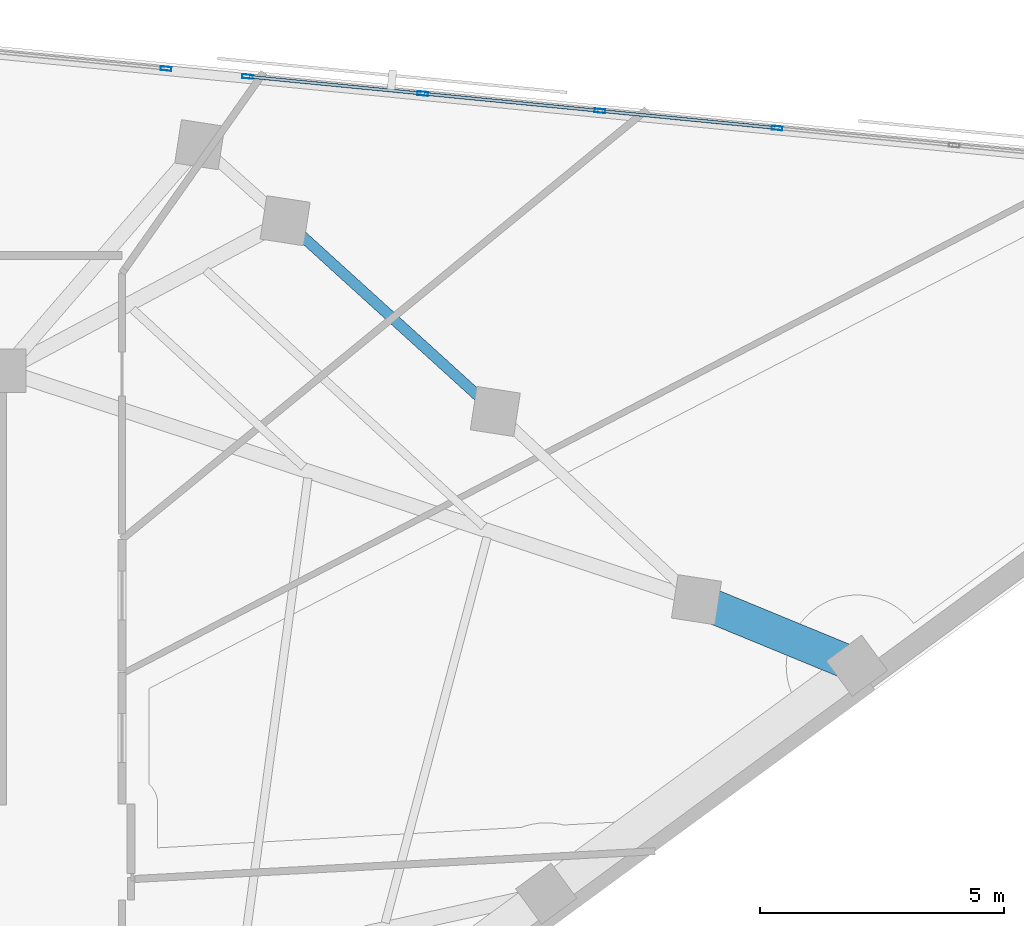
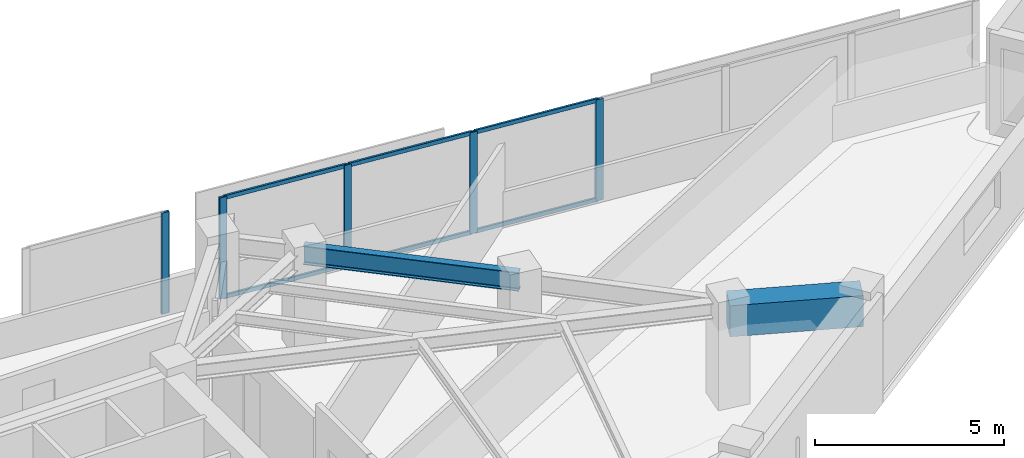
# One storey, part 5 of 13: 11 members, 2 beams, 2 elements without a shape of their own.
"""IFC4 building model written with IfcOpenShell, lengths in metres."""

import ifcopenshell
import ifcopenshell.guid

model = None  # the IFC model being written
_history = None  # IfcOwnerHistory: only IFC2X3 demands one
_inside = {}  # id of a spatial element -> (the spatial element, [elements in it])
_under = {}  # id of a project, library or spatial element -> (it, [spatial elements below it])
_declared = {}  # id of a project -> (the project, [libraries it declares])
_typed = {}  # id of a type object -> (the type object, [elements of that type])
_made_of = {}  # id of a material, layer set ... -> (it, [elements and type objects made of it])


def new_model(schema):
    """Start an empty IFC model of exactly this schema.

    Asked for "IFC4X3", IfcOpenShell would pick the latest addendum, in which some entities
    have other attributes; the version numbers below select the first issue.
    IFC2X3 requires an IfcOwnerHistory on every rooted entity: one is made here for all.
    """
    global model, _history
    if schema == "IFC4X3":
        model = ifcopenshell.file(schema_version=(4, 3, 0, 0))
    else:
        model = ifcopenshell.file(schema=schema)
    _inside.clear()
    _under.clear()
    _declared.clear()
    _typed.clear()
    _made_of.clear()
    _history = None
    if model.schema == "IFC2X3":
        org = make("IfcOrganization", Name="unknown")
        user = make(
            "IfcPersonAndOrganization",
            ThePerson=make("IfcPerson", FamilyName="unknown"),
            TheOrganization=org,
        )
        app = make(
            "IfcApplication",
            ApplicationDeveloper=org,
            Version="unknown",
            ApplicationFullName="unknown",
            ApplicationIdentifier="unknown",
        )
        _history = make(
            "IfcOwnerHistory",
            OwningUser=user,
            OwningApplication=app,
            ChangeAction="ADDED",
            CreationDate=0,
        )
    return model


def make(cls, **values):
    """One entity of the class cls with the attributes given. An attribute that is None is left unset."""
    return model.create_entity(
        cls, **{name: value for name, value in values.items() if value is not None}
    )


def rooted(cls, **values):
    """An entity with a GlobalId (a new one), such as an element, a storey or a relation."""
    return make(cls, GlobalId=ifcopenshell.guid.new(), OwnerHistory=_history, **values)


def si_unit(unit_type, name, prefix=None):
    """IfcSIUnit, for example si_unit("LENGTHUNIT", "METRE", prefix="MILLI")."""
    return make("IfcSIUnit", UnitType=unit_type, Prefix=prefix, Name=name)


def assignment(units):
    """IfcUnitAssignment: the units of a project."""
    return None if units is None else make("IfcUnitAssignment", Units=units)


def point(xyz):
    """IfcCartesianPoint."""
    return None if xyz is None else make("IfcCartesianPoint", Coordinates=xyz)


def direction(xyz):
    """IfcDirection."""
    return None if xyz is None else make("IfcDirection", DirectionRatios=xyz)


def frame(location, z_axis=None, x_axis=None):
    """IfcAxis2Placement3D, a coordinate frame: its origin and axes. An axis left out is left unset."""
    return make(
        "IfcAxis2Placement3D",
        Location=point(location),
        Axis=direction(z_axis),
        RefDirection=direction(x_axis),
    )


def frame_2d(location, x_axis=None):
    """IfcAxis2Placement2D, a coordinate frame in the plane: its origin and x axis."""
    return make(
        "IfcAxis2Placement2D", Location=point(location), RefDirection=direction(x_axis)
    )


def origin():
    """The frame at (0, 0, 0) with its axes left unset."""
    return frame((0.0, 0.0, 0.0))


def origin_2d():
    """The frame at (0, 0) in the plane with its x axis left unset."""
    return frame_2d((0.0, 0.0))


def place(relative_to, where):
    """IfcLocalPlacement: puts the frame where relative to a parent placement (None: the world)."""
    return make(
        "IfcLocalPlacement", PlacementRelTo=relative_to, RelativePlacement=where
    )


def context(
    kind, dimensions, precision=None, world=None, true_north=None, identifier=None
):
    """IfcGeometricRepresentationContext, for example the 3D "Model" context."""
    return make(
        "IfcGeometricRepresentationContext",
        ContextIdentifier=identifier,
        ContextType=kind,
        CoordinateSpaceDimension=dimensions,
        Precision=precision,
        WorldCoordinateSystem=world,
        TrueNorth=true_north,
    )


def subcontext(parent, identifier, kind, view, scale=None):
    """IfcGeometricRepresentationSubContext, for example "Body" below "Model"."""
    return make(
        "IfcGeometricRepresentationSubContext",
        ContextIdentifier=identifier,
        ContextType=kind,
        ParentContext=parent,
        TargetScale=scale,
        TargetView=view,
    )


def project(units=None, contexts=None):
    """IfcProject with its units and contexts."""
    return rooted(
        "IfcProject",
        Name="project",
        RepresentationContexts=contexts,
        UnitsInContext=assignment(units),
    )


def spatial(cls, under=None, at=None, **own):
    """A site, building, storey or space (cls), placed at a placement, below another one or the project."""
    s = rooted(cls, ObjectPlacement=at, **own)
    if under is not None:
        _under.setdefault(under.id(), (under, []))[1].append(s)
    return s


def profile(cls, at=None, kind="AREA", **sizes):
    """A parametric profile (cls). Its sizes go by their IFC names, for example OverallWidth=200.0."""
    return make(cls, ProfileType=kind, Position=at, **sizes)


def rectangle(**sizes):
    """IfcRectangleProfileDef."""
    return profile("IfcRectangleProfileDef", **sizes)


def hollow_rectangle(**sizes):
    """IfcRectangleHollowProfileDef."""
    return profile("IfcRectangleHollowProfileDef", **sizes)


def i_section(**sizes):
    """IfcIShapeProfileDef."""
    return profile("IfcIShapeProfileDef", **sizes)


def extrude(swept, where, along, depth):
    """IfcExtrudedAreaSolid: the profile swept, set in the frame where, extruded along a direction by depth."""
    return make(
        "IfcExtrudedAreaSolid",
        SweptArea=swept,
        Position=where,
        ExtrudedDirection=direction(along),
        Depth=depth,
    )


def shape(context_of_items, identifier, shape_type, items):
    """IfcShapeRepresentation: the items that make up one representation, for example the "Body"."""
    return make(
        "IfcShapeRepresentation",
        ContextOfItems=context_of_items,
        RepresentationIdentifier=identifier,
        RepresentationType=shape_type,
        Items=items,
    )


def material(Name=None, Category=None):
    """IfcMaterial."""
    return make("IfcMaterial", Name=Name, Category=Category)


def material_profile(
    of_material, cross_section, Name=None, Category=None, Priority=None
):
    """IfcMaterialProfile: a cross section and its material."""
    return make(
        "IfcMaterialProfile",
        Name=Name,
        Material=of_material,
        Profile=cross_section,
        Priority=Priority,
        Category=Category,
    )


def profile_set(profiles, Name=None, composite=None):
    """IfcMaterialProfileSet."""
    return make(
        "IfcMaterialProfileSet",
        Name=Name,
        MaterialProfiles=profiles,
        CompositeProfile=composite,
    )


def made_of(thing, what):
    """Note that an element or type object is made of a material, layer set ...; save() writes the relation."""
    if what is not None:
        _made_of.setdefault(what.id(), (what, []))[1].append(thing)
    return thing


def type_object(cls, material=None, **own):
    """A type object (cls), such as IfcWallType, which elements share."""
    return made_of(rooted(cls, **own), material)


def element(
    cls,
    number,
    at=None,
    inside=None,
    cuts=None,
    type_object=None,
    material=None,
    context=None,
    identifier="Body",
    shape_type=None,
    held_by="IfcProductDefinitionShape",
    body=None,
    shapes=None,
    **own,
):
    """One element of the class cls, such as IfcWall. Its Tag is "e" and its number.

    at: its placement. inside: the storey or other place that contains it. cuts: it is an
    opening in that element (IfcRelVoidsElement). A single representation is given by context,
    identifier, shape_type and body (its items); several are given by shapes. held_by: the class
    of the entity that holds the representations. save() writes the other relations.
    """
    e = rooted(cls, Tag="e%d" % number, ObjectPlacement=at, **own)
    if body is not None:
        shapes = [shape(context, identifier, shape_type, body)]
    if shapes is not None:
        e.Representation = make(held_by, Representations=shapes)
    if inside is not None:
        _inside.setdefault(inside.id(), (inside, []))[1].append(e)
    if cuts is not None:
        rooted(
            "IfcRelVoidsElement", RelatingBuildingElement=cuts, RelatedOpeningElement=e
        )
    if type_object is not None:
        _typed.setdefault(type_object.id(), (type_object, []))[1].append(e)
    return made_of(e, material)


def aggregate(whole, parts):
    """IfcRelAggregates: a whole, such as a stair, and the parts it consists of."""
    return rooted("IfcRelAggregates", RelatingObject=whole, RelatedObjects=parts)


def save(model, path):
    """Write the relations noted so far, then the file.

    IfcRelAggregates (storeys below a building ...), IfcRelContainedInSpatialStructure (elements
    in a storey), IfcRelDefinesByType, IfcRelAssociatesMaterial and IfcRelDeclares: one each for
    every whole, place, type object, material and project.
    """
    for whole, parts in _under.values():
        aggregate(whole, parts)
    for where, things in _inside.values():
        rooted(
            "IfcRelContainedInSpatialStructure",
            RelatedElements=things,
            RelatingStructure=where,
        )
    for kind, things in _typed.values():
        rooted("IfcRelDefinesByType", RelatedObjects=things, RelatingType=kind)
    for what, things in _made_of.values():
        rooted("IfcRelAssociatesMaterial", RelatedObjects=things, RelatingMaterial=what)
    for by, libraries in _declared.values():
        rooted("IfcRelDeclares", RelatingContext=by, RelatedDefinitions=libraries)
    model.write(path)


model = new_model("IFC4")

# Units and contexts
model_context = context("Model", 3, precision=1e-05, world=origin(), true_north=direction((0.0, 1.0)))
body_context = subcontext(model_context, "Body", "Model", "MODEL_VIEW")
ifc_project = project(units=[si_unit("LENGTHUNIT", "METRE"), si_unit("AREAUNIT", "SQUARE_METRE"), si_unit("VOLUMEUNIT", "CUBIC_METRE"), si_unit("PLANEANGLEUNIT", "RADIAN"), si_unit("MASSUNIT", "GRAM", prefix="KILO")], contexts=[model_context])

# Site, building, storey
site_placement = place(None, origin())
site = spatial("IfcSite", under=ifc_project, at=site_placement, CompositionType="ELEMENT")
building_placement = place(site_placement, origin())
building = spatial("IfcBuilding", under=site, at=building_placement, Name="Narakoshi Arena Tower", CompositionType="ELEMENT")
storey_placement = place(building_placement, frame((0.0, 0.0, 246.659912109375)))
storey = spatial("IfcBuildingStorey", under=building, at=storey_placement, Name="L67", CompositionType="ELEMENT", Elevation=246.659912109375)

# Beams
ifc_material_1 = material(Name="Concrete C60/75", Category="concrete")
ifc_material_profile_1 = material_profile(ifc_material_1, rectangle(XDim=0.699951171875, YDim=1.0, at=origin_2d()), Name="RCB700x1000")
ifc_profile_set_1 = profile_set([ifc_material_profile_1], Name="Concrete C60/75")
beam_type_1 = type_object("IfcBeamType", Name="BM-CPL-1000", PredefinedType="BEAM", material=ifc_profile_set_1)
beam_1_placement = place(storey_placement, frame((103.032470703125, 50.45361328125, 2.760009765625), z_axis=(-0.924787502584, 0.380484001063, 0.0), x_axis=(-0.380484001063, -0.924787502584, 0.0)))
element("IfcBeam", 1, at=beam_1_placement, inside=storey, type_object=beam_type_1, Name="L67 Perimeter Edge Girder 03", PredefinedType="BEAM", context=body_context, shape_type="SweptSolid", body=[
    extrude(rectangle(XDim=0.699951171875, YDim=1.0, at=origin_2d()), origin(), (0.0, 0.0, 1.0), 3.557373046875),
])
ifc_material_2 = material(Name="Structural steel S355J2", Category="steel")
ifc_material_profile_2 = material_profile(ifc_material_2, i_section(OverallWidth=0.219970703125, OverallDepth=0.60009765625, WebThickness=0.011962890625, FlangeThickness=0.01904296875, FilletRadius=0.02392578125, at=origin_2d()), Name="IPE600")
ifc_profile_set_2 = profile_set([ifc_material_profile_2], Name="Structural steel S355J2")
beam_type_2 = type_object("IfcBeamType", Name="BM-EDGE-600", PredefinedType="BEAM", material=ifc_profile_set_2)
beam_2_placement = place(storey_placement, frame((95.619384765625, 55.665283203125, 2.960205078125), z_axis=(-0.740395559013, 0.672171418757, 0.0), x_axis=(-0.672171418757, -0.740395559013, 0.0)))
element("IfcBeam", 2, at=beam_2_placement, inside=storey, type_object=beam_type_2, Name="L67 Perimeter Edge Girder 05", PredefinedType="BEAM", context=body_context, shape_type="SweptSolid", body=[
    extrude(i_section(OverallWidth=0.219970703125, OverallDepth=0.60009765625, WebThickness=0.011962890625, FlangeThickness=0.01904296875, FilletRadius=0.02392578125, at=origin_2d()), origin(), (0.0, 0.0, 1.0), 5.818603515625),
])

# Curtain wall, members
ifc_material_3 = material(Name="Anodised bronze aluminium 6063-T6", Category="aluminium")
curtain_wall_type = type_object("IfcCurtainWallType", Name="CW-HYP-HIGH", PredefinedType="NOTDEFINED", material=ifc_material_3)
curtain_wall_1_placement = place(storey_placement, origin())
curtain_wall_1 = element("IfcCurtainWall", 3, at=curtain_wall_1_placement, inside=storey, type_object=curtain_wall_type, Name="L67 Folded Hypotenuse Curtain Wall 1-1", PredefinedType="NOTDEFINED")
ifc_material_profile_3 = material_profile(ifc_material_3, hollow_rectangle(XDim=0.080078125, YDim=0.219970703125, WallThickness=0.0048828125, OuterFilletRadius=0.006103515625, at=origin_2d()), Name="MUL220x80x5")
ifc_profile_set_3 = profile_set([ifc_material_profile_3], Name="Anodised bronze aluminium 6063-T6")
member_type_1 = type_object("IfcMemberType", Name="MEM-MUL-220", PredefinedType="MULLION", material=ifc_profile_set_3)
member_1_placement = place(storey_placement, frame((101.3955078125, 61.47509765625, 0.0), z_axis=(0.0, 0.0, 1.0), x_axis=(-0.096851320996, -0.995298860454, 0.0)))
member_1 = element("IfcMember", 4, at=member_1_placement, type_object=member_type_1, Name="CW-03 mullion 4", PredefinedType="MULLION", context=body_context, shape_type="SweptSolid", body=[
    extrude(hollow_rectangle(XDim=0.080078125, YDim=0.219970703125, WallThickness=0.0048828125, OuterFilletRadius=0.006103515625, at=origin_2d()), origin(), (0.0, 0.0, 1.0), 3.260009765625),
])
member_2_placement = place(storey_placement, frame((97.763916015625, 61.828369140625, 0.0), z_axis=(0.0, 0.0, 1.0), x_axis=(-0.096851320996, -0.995298860454, 0.0)))
member_2 = element("IfcMember", 5, at=member_2_placement, type_object=member_type_1, Name="CW-03 mullion 5", PredefinedType="MULLION", context=body_context, shape_type="SweptSolid", body=[
    extrude(hollow_rectangle(XDim=0.080078125, YDim=0.219970703125, WallThickness=0.0048828125, OuterFilletRadius=0.006103515625, at=origin_2d()), origin(), (0.0, 0.0, 1.0), 3.260009765625),
])
member_3_placement = place(storey_placement, frame((94.13232421875, 62.181884765625, 0.0), z_axis=(0.0, 0.0, 1.0), x_axis=(-0.096851320996, -0.995298860454, 0.0)))
member_3 = element("IfcMember", 6, at=member_3_placement, type_object=member_type_1, Name="CW-03 mullion 6", PredefinedType="MULLION", context=body_context, shape_type="SweptSolid", body=[
    extrude(hollow_rectangle(XDim=0.080078125, YDim=0.219970703125, WallThickness=0.0048828125, OuterFilletRadius=0.006103515625, at=origin_2d()), origin(), (0.0, 0.0, 1.0), 3.260009765625),
])
member_4_placement = place(storey_placement, frame((90.54052734375, 62.53125, 0.0), z_axis=(0.0, 0.0, 1.0), x_axis=(-0.096851320996, -0.995298860454, 0.0)))
member_4 = element("IfcMember", 7, at=member_4_placement, type_object=member_type_1, Name="CW-03 mullion 7", PredefinedType="MULLION", context=body_context, shape_type="SweptSolid", body=[
    extrude(hollow_rectangle(XDim=0.080078125, YDim=0.219970703125, WallThickness=0.0048828125, OuterFilletRadius=0.006103515625, at=origin_2d()), origin(), (0.0, 0.0, 1.0), 3.260009765625),
])

# Curtain wall, member
curtain_wall_2_placement = place(storey_placement, origin())
curtain_wall_2 = element("IfcCurtainWall", 8, at=curtain_wall_2_placement, inside=storey, type_object=curtain_wall_type, Name="L67 Folded Hypotenuse Curtain Wall 1-2", PredefinedType="NOTDEFINED")
member_5_placement = place(storey_placement, frame((88.87060546875, 62.69384765625, 0.0), z_axis=(0.0, 0.0, 1.0), x_axis=(-0.096842858471, -0.995299683896, 0.0)))
member_5 = element("IfcMember", 9, at=member_5_placement, type_object=member_type_1, Name="CW-03 mullion 1", PredefinedType="MULLION", context=body_context, shape_type="SweptSolid", body=[
    extrude(hollow_rectangle(XDim=0.080078125, YDim=0.219970703125, WallThickness=0.0048828125, OuterFilletRadius=0.006103515625, at=origin_2d()), origin(), (0.0, 0.0, 1.0), 3.260009765625),
])
aggregate(curtain_wall_2, [member_5])

# Member
ifc_material_profile_4 = material_profile(ifc_material_3, hollow_rectangle(XDim=0.06494140625, YDim=0.1298828125, WallThickness=0.00390625, OuterFilletRadius=0.0048828125, at=origin_2d()), Name="TRN130x65x4")
ifc_profile_set_4 = profile_set([ifc_material_profile_4], Name="Anodised bronze aluminium 6063-T6")
member_type_2 = type_object("IfcMemberType", Name="MEM-TRN-130", PredefinedType="USERDEFINED", material=ifc_profile_set_4)
member_6_placement = place(storey_placement, frame((101.355712890625, 61.47900390625, 0.032470703125), z_axis=(-0.995303775278, 0.096800800194, 0.0), x_axis=(-0.096800800194, -0.995303775278, 0.0)))
member_6 = element("IfcMember", 10, at=member_6_placement, type_object=member_type_2, Name="CW-03 transom 4.1", ObjectType="TRANSOM", PredefinedType="USERDEFINED", context=body_context, shape_type="SweptSolid", body=[
    extrude(hollow_rectangle(XDim=0.06494140625, YDim=0.1298828125, WallThickness=0.00390625, OuterFilletRadius=0.0048828125, at=origin_2d()), origin(), (0.0, 0.0, 1.0), 3.56884765625),
])

member_7_placement = place(storey_placement, frame((101.355712890625, 61.47900390625, 3.2275390625), z_axis=(-0.995303775278, 0.096800800194, 0.0), x_axis=(-0.096800800194, -0.995303775278, 0.0)))
member_7 = element("IfcMember", 11, at=member_7_placement, type_object=member_type_2, Name="CW-03 transom 4.2", ObjectType="TRANSOM", PredefinedType="USERDEFINED", context=body_context, shape_type="SweptSolid", body=[
    extrude(hollow_rectangle(XDim=0.06494140625, YDim=0.1298828125, WallThickness=0.00390625, OuterFilletRadius=0.0048828125, at=origin_2d()), origin(), (0.0, 0.0, 1.0), 3.56884765625),
])

member_8_placement = place(storey_placement, frame((97.72412109375, 61.832275390625, 0.032470703125), z_axis=(-0.995297181926, 0.096868568947, 0.0), x_axis=(-0.096868568947, -0.995297181926, 0.0)))
member_8 = element("IfcMember", 12, at=member_8_placement, type_object=member_type_2, Name="CW-03 transom 5.1", ObjectType="TRANSOM", PredefinedType="USERDEFINED", context=body_context, shape_type="SweptSolid", body=[
    extrude(hollow_rectangle(XDim=0.06494140625, YDim=0.1298828125, WallThickness=0.00390625, OuterFilletRadius=0.0048828125, at=origin_2d()), origin(), (0.0, 0.0, 1.0), 3.56884765625),
])

member_9_placement = place(storey_placement, frame((97.72412109375, 61.832275390625, 3.2275390625), z_axis=(-0.995297181926, 0.096868568947, 0.0), x_axis=(-0.096868568947, -0.995297181926, 0.0)))
member_9 = element("IfcMember", 13, at=member_9_placement, type_object=member_type_2, Name="CW-03 transom 5.2", ObjectType="TRANSOM", PredefinedType="USERDEFINED", context=body_context, shape_type="SweptSolid", body=[
    extrude(hollow_rectangle(XDim=0.06494140625, YDim=0.1298828125, WallThickness=0.00390625, OuterFilletRadius=0.0048828125, at=origin_2d()), origin(), (0.0, 0.0, 1.0), 3.56884765625),
])

member_10_placement = place(storey_placement, frame((94.092529296875, 62.185791015625, 0.032470703125), z_axis=(-0.995304755232, 0.096790723799, 0.0), x_axis=(-0.096790723799, -0.995304755232, 0.0)))
member_10 = element("IfcMember", 14, at=member_10_placement, type_object=member_type_2, Name="CW-03 transom 6.1", ObjectType="TRANSOM", PredefinedType="USERDEFINED", context=body_context, shape_type="SweptSolid", body=[
    extrude(hollow_rectangle(XDim=0.06494140625, YDim=0.1298828125, WallThickness=0.00390625, OuterFilletRadius=0.0048828125, at=origin_2d()), origin(), (0.0, 0.0, 1.0), 3.52880859375),
])

member_11_placement = place(storey_placement, frame((94.092529296875, 62.185791015625, 3.2275390625), z_axis=(-0.995304755232, 0.096790723799, 0.0), x_axis=(-0.096790723799, -0.995304755232, 0.0)))
member_11 = element("IfcMember", 15, at=member_11_placement, type_object=member_type_2, Name="CW-03 transom 6.2", ObjectType="TRANSOM", PredefinedType="USERDEFINED", context=body_context, shape_type="SweptSolid", body=[
    extrude(hollow_rectangle(XDim=0.06494140625, YDim=0.1298828125, WallThickness=0.00390625, OuterFilletRadius=0.0048828125, at=origin_2d()), origin(), (0.0, 0.0, 1.0), 3.52880859375),
])

aggregate(curtain_wall_1, [member_1, member_2, member_3, member_4, member_6, member_7, member_8, member_9, member_10, member_11])

save(model, "model.ifc")
